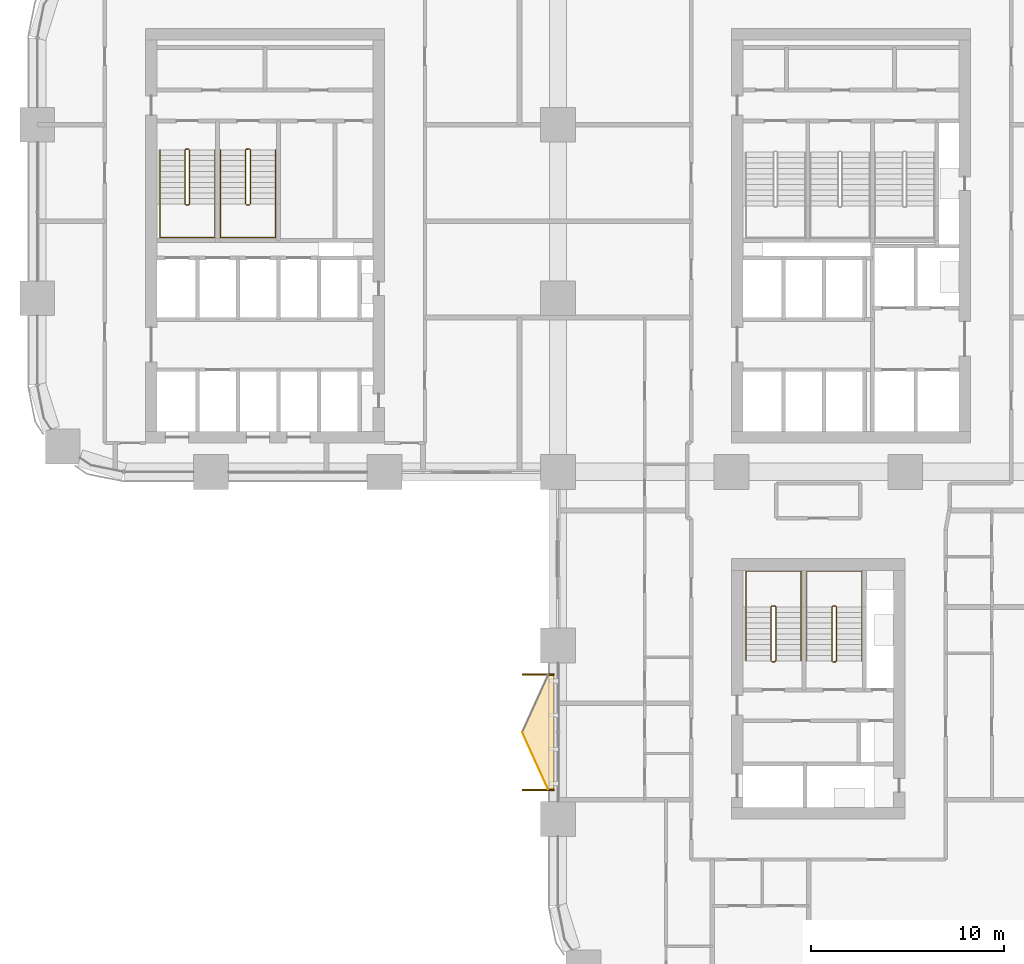
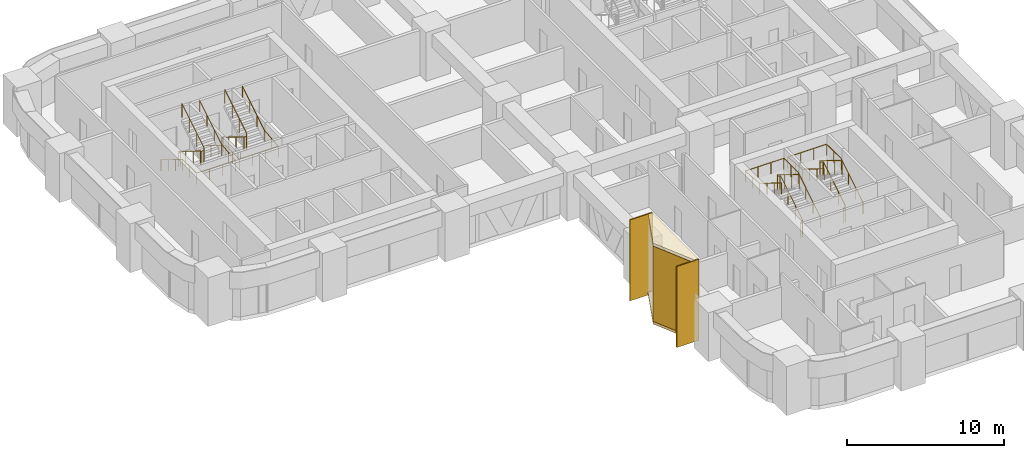
# One storey, part 18 of 19: 8 railings, 5 coverings.
"""IFC4 building model written with IfcOpenShell, lengths in metres."""

import ifcopenshell
import ifcopenshell.guid

model = None  # the IFC model being written
_history = None  # IfcOwnerHistory: only IFC2X3 demands one
_inside = {}  # id of a spatial element -> (the spatial element, [elements in it])
_under = {}  # id of a project, library or spatial element -> (it, [spatial elements below it])
_declared = {}  # id of a project -> (the project, [libraries it declares])
_typed = {}  # id of a type object -> (the type object, [elements of that type])
_made_of = {}  # id of a material, layer set ... -> (it, [elements and type objects made of it])


def new_model(schema):
    """Start an empty IFC model of exactly this schema.

    Asked for "IFC4X3", IfcOpenShell would pick the latest addendum, in which some entities
    have other attributes; the version numbers below select the first issue.
    IFC2X3 requires an IfcOwnerHistory on every rooted entity: one is made here for all.
    """
    global model, _history
    if schema == "IFC4X3":
        model = ifcopenshell.file(schema_version=(4, 3, 0, 0))
    else:
        model = ifcopenshell.file(schema=schema)
    _inside.clear()
    _under.clear()
    _declared.clear()
    _typed.clear()
    _made_of.clear()
    _history = None
    if model.schema == "IFC2X3":
        org = make("IfcOrganization", Name="unknown")
        user = make(
            "IfcPersonAndOrganization",
            ThePerson=make("IfcPerson", FamilyName="unknown"),
            TheOrganization=org,
        )
        app = make(
            "IfcApplication",
            ApplicationDeveloper=org,
            Version="unknown",
            ApplicationFullName="unknown",
            ApplicationIdentifier="unknown",
        )
        _history = make(
            "IfcOwnerHistory",
            OwningUser=user,
            OwningApplication=app,
            ChangeAction="ADDED",
            CreationDate=0,
        )
    return model


def make(cls, **values):
    """One entity of the class cls with the attributes given. An attribute that is None is left unset."""
    return model.create_entity(
        cls, **{name: value for name, value in values.items() if value is not None}
    )


def rooted(cls, **values):
    """An entity with a GlobalId (a new one), such as an element, a storey or a relation."""
    return make(cls, GlobalId=ifcopenshell.guid.new(), OwnerHistory=_history, **values)


def si_unit(unit_type, name, prefix=None):
    """IfcSIUnit, for example si_unit("LENGTHUNIT", "METRE", prefix="MILLI")."""
    return make("IfcSIUnit", UnitType=unit_type, Prefix=prefix, Name=name)


def assignment(units):
    """IfcUnitAssignment: the units of a project."""
    return None if units is None else make("IfcUnitAssignment", Units=units)


def point(xyz):
    """IfcCartesianPoint."""
    return None if xyz is None else make("IfcCartesianPoint", Coordinates=xyz)


def direction(xyz):
    """IfcDirection."""
    return None if xyz is None else make("IfcDirection", DirectionRatios=xyz)


def frame(location, z_axis=None, x_axis=None):
    """IfcAxis2Placement3D, a coordinate frame: its origin and axes. An axis left out is left unset."""
    return make(
        "IfcAxis2Placement3D",
        Location=point(location),
        Axis=direction(z_axis),
        RefDirection=direction(x_axis),
    )


def frame_2d(location, x_axis=None):
    """IfcAxis2Placement2D, a coordinate frame in the plane: its origin and x axis."""
    return make(
        "IfcAxis2Placement2D", Location=point(location), RefDirection=direction(x_axis)
    )


def origin():
    """The frame at (0, 0, 0) with its axes left unset."""
    return frame((0.0, 0.0, 0.0))


def origin_2d():
    """The frame at (0, 0) in the plane with its x axis left unset."""
    return frame_2d((0.0, 0.0))


def place(relative_to, where):
    """IfcLocalPlacement: puts the frame where relative to a parent placement (None: the world)."""
    return make(
        "IfcLocalPlacement", PlacementRelTo=relative_to, RelativePlacement=where
    )


def context(
    kind, dimensions, precision=None, world=None, true_north=None, identifier=None
):
    """IfcGeometricRepresentationContext, for example the 3D "Model" context."""
    return make(
        "IfcGeometricRepresentationContext",
        ContextIdentifier=identifier,
        ContextType=kind,
        CoordinateSpaceDimension=dimensions,
        Precision=precision,
        WorldCoordinateSystem=world,
        TrueNorth=true_north,
    )


def subcontext(parent, identifier, kind, view, scale=None):
    """IfcGeometricRepresentationSubContext, for example "Body" below "Model"."""
    return make(
        "IfcGeometricRepresentationSubContext",
        ContextIdentifier=identifier,
        ContextType=kind,
        ParentContext=parent,
        TargetScale=scale,
        TargetView=view,
    )


def project(units=None, contexts=None):
    """IfcProject with its units and contexts."""
    return rooted(
        "IfcProject",
        Name="project",
        RepresentationContexts=contexts,
        UnitsInContext=assignment(units),
    )


def spatial(cls, under=None, at=None, **own):
    """A site, building, storey or space (cls), placed at a placement, below another one or the project."""
    s = rooted(cls, ObjectPlacement=at, **own)
    if under is not None:
        _under.setdefault(under.id(), (under, []))[1].append(s)
    return s


def polyline(points):
    """IfcPolyline through the points."""
    return make("IfcPolyline", Points=[point(p) for p in points])


def profile(cls, at=None, kind="AREA", **sizes):
    """A parametric profile (cls). Its sizes go by their IFC names, for example OverallWidth=200.0."""
    return make(cls, ProfileType=kind, Position=at, **sizes)


def rectangle(**sizes):
    """IfcRectangleProfileDef."""
    return profile("IfcRectangleProfileDef", **sizes)


def circle(**sizes):
    """IfcCircleProfileDef."""
    return profile("IfcCircleProfileDef", **sizes)


def outline(outer, holes=None, kind="AREA"):
    """IfcArbitraryClosedProfileDef: a profile drawn as a closed curve; with holes, ...WithVoids."""
    if holes is None:
        return make("IfcArbitraryClosedProfileDef", ProfileType=kind, OuterCurve=outer)
    return make(
        "IfcArbitraryProfileDefWithVoids",
        ProfileType=kind,
        OuterCurve=outer,
        InnerCurves=holes,
    )


def extrude(swept, where, along, depth):
    """IfcExtrudedAreaSolid: the profile swept, set in the frame where, extruded along a direction by depth."""
    return make(
        "IfcExtrudedAreaSolid",
        SweptArea=swept,
        Position=where,
        ExtrudedDirection=direction(along),
        Depth=depth,
    )


def shape(context_of_items, identifier, shape_type, items):
    """IfcShapeRepresentation: the items that make up one representation, for example the "Body"."""
    return make(
        "IfcShapeRepresentation",
        ContextOfItems=context_of_items,
        RepresentationIdentifier=identifier,
        RepresentationType=shape_type,
        Items=items,
    )


def material(Name=None, Category=None):
    """IfcMaterial."""
    return make("IfcMaterial", Name=Name, Category=Category)


def layer(
    of_material, thickness, ventilated=None, Name=None, Category=None, Priority=None
):
    """IfcMaterialLayer: one layer of a wall or slab, of a material (None: an air gap)."""
    return make(
        "IfcMaterialLayer",
        Material=of_material,
        LayerThickness=thickness,
        IsVentilated=ventilated,
        Name=Name,
        Category=Category,
        Priority=Priority,
    )


def layer_set(layers, Name=None):
    """IfcMaterialLayerSet."""
    return make("IfcMaterialLayerSet", MaterialLayers=layers, LayerSetName=Name)


def made_of(thing, what):
    """Note that an element or type object is made of a material, layer set ...; save() writes the relation."""
    if what is not None:
        _made_of.setdefault(what.id(), (what, []))[1].append(thing)
    return thing


def type_object(cls, material=None, **own):
    """A type object (cls), such as IfcWallType, which elements share."""
    return made_of(rooted(cls, **own), material)


def element(
    cls,
    number,
    at=None,
    inside=None,
    cuts=None,
    type_object=None,
    material=None,
    context=None,
    identifier="Body",
    shape_type=None,
    held_by="IfcProductDefinitionShape",
    body=None,
    shapes=None,
    **own,
):
    """One element of the class cls, such as IfcWall. Its Tag is "e" and its number.

    at: its placement. inside: the storey or other place that contains it. cuts: it is an
    opening in that element (IfcRelVoidsElement). A single representation is given by context,
    identifier, shape_type and body (its items); several are given by shapes. held_by: the class
    of the entity that holds the representations. save() writes the other relations.
    """
    e = rooted(cls, Tag="e%d" % number, ObjectPlacement=at, **own)
    if body is not None:
        shapes = [shape(context, identifier, shape_type, body)]
    if shapes is not None:
        e.Representation = make(held_by, Representations=shapes)
    if inside is not None:
        _inside.setdefault(inside.id(), (inside, []))[1].append(e)
    if cuts is not None:
        rooted(
            "IfcRelVoidsElement", RelatingBuildingElement=cuts, RelatedOpeningElement=e
        )
    if type_object is not None:
        _typed.setdefault(type_object.id(), (type_object, []))[1].append(e)
    return made_of(e, material)


def aggregate(whole, parts):
    """IfcRelAggregates: a whole, such as a stair, and the parts it consists of."""
    return rooted("IfcRelAggregates", RelatingObject=whole, RelatedObjects=parts)


def save(model, path):
    """Write the relations noted so far, then the file.

    IfcRelAggregates (storeys below a building ...), IfcRelContainedInSpatialStructure (elements
    in a storey), IfcRelDefinesByType, IfcRelAssociatesMaterial and IfcRelDeclares: one each for
    every whole, place, type object, material and project.
    """
    for whole, parts in _under.values():
        aggregate(whole, parts)
    for where, things in _inside.values():
        rooted(
            "IfcRelContainedInSpatialStructure",
            RelatedElements=things,
            RelatingStructure=where,
        )
    for kind, things in _typed.values():
        rooted("IfcRelDefinesByType", RelatedObjects=things, RelatingType=kind)
    for what, things in _made_of.values():
        rooted("IfcRelAssociatesMaterial", RelatedObjects=things, RelatingMaterial=what)
    for by, libraries in _declared.values():
        rooted("IfcRelDeclares", RelatingContext=by, RelatedDefinitions=libraries)
    model.write(path)


model = new_model("IFC4")

# Units and contexts
model_context = context("Model", 3, precision=1e-05, world=origin(), true_north=direction((0.0, 1.0)))
body_context = subcontext(model_context, "Body", "Model", "MODEL_VIEW")
ifc_project = project(units=[si_unit("LENGTHUNIT", "METRE"), si_unit("AREAUNIT", "SQUARE_METRE"), si_unit("VOLUMEUNIT", "CUBIC_METRE"), si_unit("PLANEANGLEUNIT", "RADIAN"), si_unit("MASSUNIT", "GRAM", prefix="KILO")], contexts=[model_context])

# Site, building, storey
site_placement = place(None, origin())
site = spatial("IfcSite", under=ifc_project, at=site_placement, CompositionType="ELEMENT")
building_placement = place(site_placement, origin())
building = spatial("IfcBuilding", under=site, at=building_placement, Name="Tessera Arch", CompositionType="ELEMENT")
storey_placement = place(building_placement, frame((0.0, 0.0, 85.39990234375)))
storey = spatial("IfcBuildingStorey", under=building, at=storey_placement, Name="L19", CompositionType="ELEMENT", Elevation=85.39990234375)

# Railings
ifc_material_1 = material(Name="Painted steel balustrade", Category="steel")
railing_type_1 = type_object("IfcRailingType", Name="Stair guard 1100", PredefinedType="GUARDRAIL", material=ifc_material_1)
railing_1_placement = place(storey_placement, frame((7.699951171875, 43.75, 0.0)))
element("IfcRailing", 1, at=railing_1_placement, inside=storey, type_object=railing_type_1, Name="L19 S2a stair guard 1", PredefinedType="GUARDRAIL", context=body_context, shape_type="SweptSolid", body=[
    extrude(circle(Radius=0.02392578125, at=origin_2d()), frame((-0.00390625, 0.0, 1.076171875), z_axis=(1.0, 0.0, 0.0), x_axis=(0.0, 1.0, 0.0)), (0.0, 0.0, 1.0), 0.158203125),
    extrude(circle(Radius=0.02392578125, at=origin_2d()), frame((0.153076171875, 0.000732421875, 1.073486328125), z_axis=(-0.743708266585, -0.185927066646, 0.642128600905), x_axis=(0.242535625036, -0.970142500145, 0.0)), (0.0, 0.0, 1.0), 0.277099609375),
    extrude(circle(Radius=0.02392578125, at=origin_2d()), frame((-0.050048828125, -0.046630859375, 1.246826171875), z_axis=(0.0, -0.851089632645, 0.525020415988), x_axis=(1.0, 0.0, 0.0)), (0.0, 0.0, 1.0), 3.2978515625),
    extrude(circle(Radius=0.02392578125, at=origin_2d()), frame((-0.052978515625, -2.84716796875, 2.97607421875), z_axis=(0.708833529934, -0.705375805398, 0.0), x_axis=(0.705375805398, 0.708833529934, 0.0)), (0.0, 0.0, 1.0), 0.07861328125),
    extrude(circle(Radius=0.02392578125, at=origin_2d()), frame((-0.00390625, -2.89990234375, 2.97607421875), z_axis=(1.0, 0.0, 0.0), x_axis=(0.0, 1.0, 0.0)), (0.0, 0.0, 1.0), 0.158203125),
    extrude(circle(Radius=0.02392578125, at=origin_2d()), frame((0.149169921875, -2.90087890625, 2.972412109375), z_axis=(0.26715648603, 0.26715648603, 0.925880566782), x_axis=(-0.707106781187, 0.707106781187, 0.0)), (0.0, 0.0, 1.0), 0.1943359375),
    extrude(circle(Radius=0.02392578125, at=origin_2d()), frame((0.199951171875, -2.853515625, 3.146728515625), z_axis=(0.0, 0.851089632645, 0.525020415988), x_axis=(-1.0, 0.0, 0.0)), (0.0, 0.0, 1.0), 3.2978515625),
    extrude(circle(Radius=0.02099609375, at=origin_2d()), origin(), (0.0, 0.0, 1.0), 1.06396484375),
    extrude(circle(Radius=0.02099609375, at=origin_2d()), frame((0.150146484375, 0.0, 0.0)), (0.0, 0.0, 1.0), 1.06396484375),
    extrude(circle(Radius=0.02099609375, at=origin_2d()), frame((-0.050048828125, -0.050048828125, 0.1728515625)), (0.0, 0.0, 1.0), 1.06396484375),
    extrude(circle(Radius=0.02099609375, at=origin_2d()), frame((-0.050048828125, -0.9833984375, 0.74853515625)), (0.0, 0.0, 1.0), 1.06396484375),
    extrude(circle(Radius=0.02099609375, at=origin_2d()), frame((-0.050048828125, -1.916748046875, 1.324462890625)), (0.0, 0.0, 1.0), 1.06396484375),
    extrude(circle(Radius=0.02099609375, at=origin_2d()), frame((-0.050048828125, -2.85009765625, 1.900146484375)), (0.0, 0.0, 1.0), 1.06396484375),
    extrude(circle(Radius=0.02099609375, at=origin_2d()), frame((0.0, -2.89990234375, 1.900146484375)), (0.0, 0.0, 1.0), 1.06396484375),
    extrude(circle(Radius=0.02099609375, at=origin_2d()), frame((0.150146484375, -2.89990234375, 1.900146484375)), (0.0, 0.0, 1.0), 1.06396484375),
    extrude(circle(Radius=0.02099609375, at=origin_2d()), frame((0.199951171875, -2.85009765625, 2.07275390625)), (0.0, 0.0, 1.0), 1.06396484375),
    extrude(circle(Radius=0.02099609375, at=origin_2d()), frame((0.199951171875, -1.916748046875, 2.6484375)), (0.0, 0.0, 1.0), 1.06396484375),
    extrude(circle(Radius=0.02099609375, at=origin_2d()), frame((0.199951171875, -0.9833984375, 3.224365234375)), (0.0, 0.0, 1.0), 1.06396484375),
    extrude(circle(Radius=0.02099609375, at=origin_2d()), frame((0.199951171875, -0.050048828125, 3.800048828125)), (0.0, 0.0, 1.0), 1.06396484375),
])
railing_2_placement = place(storey_placement, frame((10.85009765625, 43.75, 0.0)))
element("IfcRailing", 2, at=railing_2_placement, inside=storey, type_object=railing_type_1, Name="L19 S2b stair guard 1", PredefinedType="GUARDRAIL", context=body_context, shape_type="SweptSolid", body=[
    extrude(circle(Radius=0.02392578125, at=origin_2d()), frame((-0.00390625, 0.0, 1.076171875), z_axis=(1.0, 0.0, 0.0), x_axis=(0.0, 1.0, 0.0)), (0.0, 0.0, 1.0), 0.157958984375),
    extrude(circle(Radius=0.02392578125, at=origin_2d()), frame((0.15283203125, 0.000732421875, 1.073486328125), z_axis=(-0.743302536996, -0.186052527575, 0.642561900114), x_axis=(0.242814311512, -0.970072785993, 0.0)), (0.0, 0.0, 1.0), 0.277099609375),
    extrude(circle(Radius=0.02392578125, at=origin_2d()), frame((-0.050048828125, -0.046630859375, 1.246826171875), z_axis=(0.0, -0.851089632645, 0.525020415988), x_axis=(1.0, 0.0, 0.0)), (0.0, 0.0, 1.0), 3.2978515625),
    extrude(circle(Radius=0.02392578125, at=origin_2d()), frame((-0.052978515625, -2.84716796875, 2.97607421875), z_axis=(0.708833529934, -0.705375805398, 0.0), x_axis=(0.705375805398, 0.708833529934, 0.0)), (0.0, 0.0, 1.0), 0.07861328125),
    extrude(circle(Radius=0.02392578125, at=origin_2d()), frame((-0.00390625, -2.89990234375, 2.97607421875), z_axis=(1.0, 0.0, 0.0), x_axis=(0.0, 1.0, 0.0)), (0.0, 0.0, 1.0), 0.157958984375),
    extrude(circle(Radius=0.02392578125, at=origin_2d()), frame((0.14892578125, -2.90087890625, 2.972412109375), z_axis=(0.268371968888, 0.267062837333, 0.925556009775), x_axis=(-0.705375805398, 0.708833529934, 0.0)), (0.0, 0.0, 1.0), 0.194580078125),
    extrude(circle(Radius=0.02392578125, at=origin_2d()), frame((0.199951171875, -2.853515625, 3.146728515625), z_axis=(0.0, 0.851089632645, 0.525020415988), x_axis=(-1.0, 0.0, 0.0)), (0.0, 0.0, 1.0), 3.2978515625),
    extrude(circle(Radius=0.02099609375, at=origin_2d()), origin(), (0.0, 0.0, 1.0), 1.06396484375),
    extrude(circle(Radius=0.02099609375, at=origin_2d()), frame((0.14990234375, 0.0, 0.0)), (0.0, 0.0, 1.0), 1.06396484375),
    extrude(circle(Radius=0.02099609375, at=origin_2d()), frame((-0.050048828125, -0.050048828125, 0.1728515625)), (0.0, 0.0, 1.0), 1.06396484375),
    extrude(circle(Radius=0.02099609375, at=origin_2d()), frame((-0.050048828125, -0.9833984375, 0.74853515625)), (0.0, 0.0, 1.0), 1.06396484375),
    extrude(circle(Radius=0.02099609375, at=origin_2d()), frame((-0.050048828125, -1.916748046875, 1.324462890625)), (0.0, 0.0, 1.0), 1.06396484375),
    extrude(circle(Radius=0.02099609375, at=origin_2d()), frame((-0.050048828125, -2.85009765625, 1.900146484375)), (0.0, 0.0, 1.0), 1.06396484375),
    extrude(circle(Radius=0.02099609375, at=origin_2d()), frame((0.0, -2.89990234375, 1.900146484375)), (0.0, 0.0, 1.0), 1.06396484375),
    extrude(circle(Radius=0.02099609375, at=origin_2d()), frame((0.14990234375, -2.89990234375, 1.900146484375)), (0.0, 0.0, 1.0), 1.06396484375),
    extrude(circle(Radius=0.02099609375, at=origin_2d()), frame((0.199951171875, -2.85009765625, 2.07275390625)), (0.0, 0.0, 1.0), 1.06396484375),
    extrude(circle(Radius=0.02099609375, at=origin_2d()), frame((0.199951171875, -1.916748046875, 2.6484375)), (0.0, 0.0, 1.0), 1.06396484375),
    extrude(circle(Radius=0.02099609375, at=origin_2d()), frame((0.199951171875, -0.9833984375, 3.224365234375)), (0.0, 0.0, 1.0), 1.06396484375),
    extrude(circle(Radius=0.02099609375, at=origin_2d()), frame((0.199951171875, -0.050048828125, 3.800048828125)), (0.0, 0.0, 1.0), 1.06396484375),
])
railing_3_placement = place(storey_placement, frame((38.25, 17.14990234375, 0.0)))
element("IfcRailing", 3, at=railing_3_placement, inside=storey, type_object=railing_type_1, Name="L19 S3a stair guard 1", PredefinedType="GUARDRAIL", context=body_context, shape_type="SweptSolid", body=[
    extrude(circle(Radius=0.02392578125, at=origin_2d()), frame((0.00390625, 0.0, 1.076171875), z_axis=(-1.0, 0.0, 0.0), x_axis=(0.0, -1.0, 0.0)), (0.0, 0.0, 1.0), 0.157958984375),
    extrude(circle(Radius=0.02392578125, at=origin_2d()), frame((-0.15283203125, -0.000732421875, 1.073486328125), z_axis=(0.743302536996, 0.186052527575, 0.642561900114), x_axis=(-0.242814311512, 0.970072785993, 0.0)), (0.0, 0.0, 1.0), 0.277099609375),
    extrude(circle(Radius=0.02392578125, at=origin_2d()), frame((0.050048828125, 0.046630859375, 1.246826171875), z_axis=(0.0, 0.851089632645, 0.525020415988), x_axis=(-1.0, 0.0, 0.0)), (0.0, 0.0, 1.0), 3.2978515625),
    extrude(circle(Radius=0.02392578125, at=origin_2d()), frame((0.052978515625, 2.84716796875, 2.97607421875), z_axis=(-0.707106781187, 0.707106781187, 0.0), x_axis=(-0.707106781187, -0.707106781187, 0.0)), (0.0, 0.0, 1.0), 0.078857421875),
    extrude(circle(Radius=0.02392578125, at=origin_2d()), frame((0.00390625, 2.900146484375, 2.97607421875), z_axis=(-1.0, 0.0, 0.0), x_axis=(0.0, -1.0, 0.0)), (0.0, 0.0, 1.0), 0.157958984375),
    extrude(circle(Radius=0.02392578125, at=origin_2d()), frame((-0.14892578125, 2.901123046875, 2.972412109375), z_axis=(-0.268277960024, -0.268277960024, 0.925231793839), x_axis=(0.707106781187, -0.707106781187, 0.0)), (0.0, 0.0, 1.0), 0.194580078125),
    extrude(circle(Radius=0.02392578125, at=origin_2d()), frame((-0.199951171875, 2.853515625, 3.146728515625), z_axis=(0.0, -0.851089632645, 0.525020415988), x_axis=(1.0, 0.0, 0.0)), (0.0, 0.0, 1.0), 3.2978515625),
    extrude(circle(Radius=0.02099609375, at=origin_2d()), origin(), (0.0, 0.0, 1.0), 1.06396484375),
    extrude(circle(Radius=0.02099609375, at=origin_2d()), frame((-0.14990234375, 0.0, 0.0)), (0.0, 0.0, 1.0), 1.06396484375),
    extrude(circle(Radius=0.02099609375, at=origin_2d()), frame((0.050048828125, 0.050048828125, 0.1728515625)), (0.0, 0.0, 1.0), 1.06396484375),
    extrude(circle(Radius=0.02099609375, at=origin_2d()), frame((0.050048828125, 0.9833984375, 0.74853515625)), (0.0, 0.0, 1.0), 1.06396484375),
    extrude(circle(Radius=0.02099609375, at=origin_2d()), frame((0.050048828125, 1.916748046875, 1.324462890625)), (0.0, 0.0, 1.0), 1.06396484375),
    extrude(circle(Radius=0.02099609375, at=origin_2d()), frame((0.050048828125, 2.85009765625, 1.900146484375)), (0.0, 0.0, 1.0), 1.06396484375),
    extrude(circle(Radius=0.02099609375, at=origin_2d()), frame((0.0, 2.900146484375, 1.900146484375)), (0.0, 0.0, 1.0), 1.06396484375),
    extrude(circle(Radius=0.02099609375, at=origin_2d()), frame((-0.14990234375, 2.900146484375, 1.900146484375)), (0.0, 0.0, 1.0), 1.06396484375),
    extrude(circle(Radius=0.02099609375, at=origin_2d()), frame((-0.199951171875, 2.85009765625, 2.07275390625)), (0.0, 0.0, 1.0), 1.06396484375),
    extrude(circle(Radius=0.02099609375, at=origin_2d()), frame((-0.199951171875, 1.916748046875, 2.6484375)), (0.0, 0.0, 1.0), 1.06396484375),
    extrude(circle(Radius=0.02099609375, at=origin_2d()), frame((-0.199951171875, 0.9833984375, 3.224365234375)), (0.0, 0.0, 1.0), 1.06396484375),
    extrude(circle(Radius=0.02099609375, at=origin_2d()), frame((-0.199951171875, 0.050048828125, 3.800048828125)), (0.0, 0.0, 1.0), 1.06396484375),
])
railing_4_placement = place(storey_placement, frame((41.39990234375, 17.14990234375, 0.0)))
element("IfcRailing", 4, at=railing_4_placement, inside=storey, type_object=railing_type_1, Name="L19 S3b stair guard 1", PredefinedType="GUARDRAIL", context=body_context, shape_type="SweptSolid", body=[
    extrude(circle(Radius=0.02392578125, at=origin_2d()), frame((0.00390625, 0.0, 1.076171875), z_axis=(-1.0, 0.0, 0.0), x_axis=(0.0, -1.0, 0.0)), (0.0, 0.0, 1.0), 0.157958984375),
    extrude(circle(Radius=0.02392578125, at=origin_2d()), frame((-0.15283203125, -0.000732421875, 1.073486328125), z_axis=(0.743302536996, 0.186052527575, 0.642561900114), x_axis=(-0.242814311512, 0.970072785993, 0.0)), (0.0, 0.0, 1.0), 0.277099609375),
    extrude(circle(Radius=0.02392578125, at=origin_2d()), frame((0.050048828125, 0.046630859375, 1.246826171875), z_axis=(0.0, 0.851089632645, 0.525020415988), x_axis=(-1.0, 0.0, 0.0)), (0.0, 0.0, 1.0), 3.2978515625),
    extrude(circle(Radius=0.02392578125, at=origin_2d()), frame((0.052978515625, 2.84716796875, 2.97607421875), z_axis=(-0.707106781187, 0.707106781187, 0.0), x_axis=(-0.707106781187, -0.707106781187, 0.0)), (0.0, 0.0, 1.0), 0.078857421875),
    extrude(circle(Radius=0.02392578125, at=origin_2d()), frame((0.00390625, 2.900146484375, 2.97607421875), z_axis=(-1.0, 0.0, 0.0), x_axis=(0.0, -1.0, 0.0)), (0.0, 0.0, 1.0), 0.157958984375),
    extrude(circle(Radius=0.02392578125, at=origin_2d()), frame((-0.14892578125, 2.901123046875, 2.972412109375), z_axis=(-0.268277960024, -0.268277960024, 0.925231793839), x_axis=(0.707106781187, -0.707106781187, 0.0)), (0.0, 0.0, 1.0), 0.194580078125),
    extrude(circle(Radius=0.02392578125, at=origin_2d()), frame((-0.199951171875, 2.853515625, 3.146728515625), z_axis=(0.0, -0.851089632645, 0.525020415988), x_axis=(1.0, 0.0, 0.0)), (0.0, 0.0, 1.0), 3.2978515625),
    extrude(circle(Radius=0.02099609375, at=origin_2d()), origin(), (0.0, 0.0, 1.0), 1.06396484375),
    extrude(circle(Radius=0.02099609375, at=origin_2d()), frame((-0.14990234375, 0.0, 0.0)), (0.0, 0.0, 1.0), 1.06396484375),
    extrude(circle(Radius=0.02099609375, at=origin_2d()), frame((0.050048828125, 0.050048828125, 0.1728515625)), (0.0, 0.0, 1.0), 1.06396484375),
    extrude(circle(Radius=0.02099609375, at=origin_2d()), frame((0.050048828125, 0.9833984375, 0.74853515625)), (0.0, 0.0, 1.0), 1.06396484375),
    extrude(circle(Radius=0.02099609375, at=origin_2d()), frame((0.050048828125, 1.916748046875, 1.324462890625)), (0.0, 0.0, 1.0), 1.06396484375),
    extrude(circle(Radius=0.02099609375, at=origin_2d()), frame((0.050048828125, 2.85009765625, 1.900146484375)), (0.0, 0.0, 1.0), 1.06396484375),
    extrude(circle(Radius=0.02099609375, at=origin_2d()), frame((0.0, 2.900146484375, 1.900146484375)), (0.0, 0.0, 1.0), 1.06396484375),
    extrude(circle(Radius=0.02099609375, at=origin_2d()), frame((-0.14990234375, 2.900146484375, 1.900146484375)), (0.0, 0.0, 1.0), 1.06396484375),
    extrude(circle(Radius=0.02099609375, at=origin_2d()), frame((-0.199951171875, 2.85009765625, 2.07275390625)), (0.0, 0.0, 1.0), 1.06396484375),
    extrude(circle(Radius=0.02099609375, at=origin_2d()), frame((-0.199951171875, 1.916748046875, 2.6484375)), (0.0, 0.0, 1.0), 1.06396484375),
    extrude(circle(Radius=0.02099609375, at=origin_2d()), frame((-0.199951171875, 0.9833984375, 3.224365234375)), (0.0, 0.0, 1.0), 1.06396484375),
    extrude(circle(Radius=0.02099609375, at=origin_2d()), frame((-0.199951171875, 0.050048828125, 3.800048828125)), (0.0, 0.0, 1.0), 1.06396484375),
])
ifc_material_2 = material(Name="Painted steel handrail", Category="steel")
railing_type_2 = type_object("IfcRailingType", Name="Stair handrail 900", PredefinedType="HANDRAIL", material=ifc_material_2)
railing_5_placement = place(storey_placement, frame((6.35009765625, 43.699951171875, 0.1728515625)))
element("IfcRailing", 5, at=railing_5_placement, inside=storey, type_object=railing_type_2, Name="L19 S2a stair handrail", PredefinedType="HANDRAIL", context=body_context, shape_type="SweptSolid", body=[
    extrude(circle(Radius=0.02392578125, at=origin_2d()), frame((0.0, 0.00341796875, 0.873779296875), z_axis=(0.0, -0.851089632645, 0.525020415988), x_axis=(1.0, 0.0, 0.0)), (0.0, 0.0, 1.0), 3.2978515625),
    extrude(circle(Radius=0.02392578125, at=origin_2d()), frame((0.0, -2.796142578125, 2.60302734375), z_axis=(0.0, -1.0, 0.0), x_axis=(1.0, 0.0, 0.0)), (0.0, 0.0, 1.0), 1.758056640625),
    extrude(circle(Radius=0.02392578125, at=origin_2d()), frame((-0.00390625, -4.550048828125, 2.60302734375), z_axis=(1.0, 0.0, 0.0), x_axis=(0.0, 1.0, 0.0)), (0.0, 0.0, 1.0), 2.85791015625),
    extrude(circle(Radius=0.02392578125, at=origin_2d()), frame((2.849853515625, -4.553955078125, 2.602783203125), z_axis=(0.0, 0.995170989745, 0.098156513637), x_axis=(-1.0, 0.0, 0.0)), (0.0, 0.0, 1.0), 1.7666015625),
    extrude(circle(Radius=0.02392578125, at=origin_2d()), frame((2.849853515625, -2.803466796875, 2.773681640625), z_axis=(0.0, 0.851089632645, 0.525020415988), x_axis=(-1.0, 0.0, 0.0)), (0.0, 0.0, 1.0), 3.2978515625),
    extrude(circle(Radius=0.02099609375, at=origin_2d()), origin(), (0.0, 0.0, 1.0), 0.86376953125),
    extrude(circle(Radius=0.02099609375, at=origin_2d()), frame((0.0, -0.933349609375, 0.57568359375)), (0.0, 0.0, 1.0), 0.86376953125),
    extrude(circle(Radius=0.02099609375, at=origin_2d()), frame((0.0, -1.86669921875, 1.151611328125)), (0.0, 0.0, 1.0), 0.86376953125),
    extrude(circle(Radius=0.02099609375, at=origin_2d()), frame((0.0, -2.800048828125, 1.727294921875)), (0.0, 0.0, 1.0), 0.86376953125),
    extrude(circle(Radius=0.02099609375, at=origin_2d()), frame((0.0, -3.675048828125, 1.727294921875)), (0.0, 0.0, 1.0), 0.86376953125),
    extrude(circle(Radius=0.02099609375, at=origin_2d()), frame((0.0, -4.550048828125, 1.727294921875)), (0.0, 0.0, 1.0), 0.86376953125),
    extrude(circle(Radius=0.02099609375, at=origin_2d()), frame((0.949951171875, -4.550048828125, 1.727294921875)), (0.0, 0.0, 1.0), 0.86376953125),
    extrude(circle(Radius=0.02099609375, at=origin_2d()), frame((1.89990234375, -4.550048828125, 1.727294921875)), (0.0, 0.0, 1.0), 0.86376953125),
    extrude(circle(Radius=0.02099609375, at=origin_2d()), frame((2.849853515625, -4.550048828125, 1.727294921875)), (0.0, 0.0, 1.0), 0.86376953125),
    extrude(circle(Radius=0.02099609375, at=origin_2d()), frame((2.849853515625, -3.675048828125, 1.8134765625)), (0.0, 0.0, 1.0), 0.86376953125),
    extrude(circle(Radius=0.02099609375, at=origin_2d()), frame((2.849853515625, -2.800048828125, 1.89990234375)), (0.0, 0.0, 1.0), 0.86376953125),
    extrude(circle(Radius=0.02099609375, at=origin_2d()), frame((2.849853515625, -1.86669921875, 2.4755859375)), (0.0, 0.0, 1.0), 0.86376953125),
    extrude(circle(Radius=0.02099609375, at=origin_2d()), frame((2.849853515625, -0.933349609375, 3.051513671875)), (0.0, 0.0, 1.0), 0.86376953125),
    extrude(circle(Radius=0.02099609375, at=origin_2d()), frame((2.849853515625, 0.0, 3.627197265625)), (0.0, 0.0, 1.0), 0.86376953125),
])
railing_6_placement = place(storey_placement, frame((9.5, 43.699951171875, 0.1728515625)))
element("IfcRailing", 6, at=railing_6_placement, inside=storey, type_object=railing_type_2, Name="L19 S2b stair handrail", PredefinedType="HANDRAIL", context=body_context, shape_type="SweptSolid", body=[
    extrude(circle(Radius=0.02392578125, at=origin_2d()), frame((0.0, 0.00341796875, 0.873779296875), z_axis=(0.0, -0.851089632645, 0.525020415988), x_axis=(1.0, 0.0, 0.0)), (0.0, 0.0, 1.0), 3.2978515625),
    extrude(circle(Radius=0.02392578125, at=origin_2d()), frame((0.0, -2.796142578125, 2.60302734375), z_axis=(0.0, -1.0, 0.0), x_axis=(1.0, 0.0, 0.0)), (0.0, 0.0, 1.0), 1.758056640625),
    extrude(circle(Radius=0.02392578125, at=origin_2d()), frame((-0.00390625, -4.550048828125, 2.60302734375), z_axis=(1.0, 0.0, 0.0), x_axis=(0.0, 1.0, 0.0)), (0.0, 0.0, 1.0), 2.858154296875),
    extrude(circle(Radius=0.02392578125, at=origin_2d()), frame((2.85009765625, -4.553955078125, 2.602783203125), z_axis=(0.0, 0.995170989745, 0.098156513637), x_axis=(-1.0, 0.0, 0.0)), (0.0, 0.0, 1.0), 1.7666015625),
    extrude(circle(Radius=0.02392578125, at=origin_2d()), frame((2.85009765625, -2.803466796875, 2.773681640625), z_axis=(0.0, 0.851089632645, 0.525020415988), x_axis=(-1.0, 0.0, 0.0)), (0.0, 0.0, 1.0), 3.2978515625),
    extrude(circle(Radius=0.02099609375, at=origin_2d()), origin(), (0.0, 0.0, 1.0), 0.86376953125),
    extrude(circle(Radius=0.02099609375, at=origin_2d()), frame((0.0, -0.933349609375, 0.57568359375)), (0.0, 0.0, 1.0), 0.86376953125),
    extrude(circle(Radius=0.02099609375, at=origin_2d()), frame((0.0, -1.86669921875, 1.151611328125)), (0.0, 0.0, 1.0), 0.86376953125),
    extrude(circle(Radius=0.02099609375, at=origin_2d()), frame((0.0, -2.800048828125, 1.727294921875)), (0.0, 0.0, 1.0), 0.86376953125),
    extrude(circle(Radius=0.02099609375, at=origin_2d()), frame((0.0, -3.675048828125, 1.727294921875)), (0.0, 0.0, 1.0), 0.86376953125),
    extrude(circle(Radius=0.02099609375, at=origin_2d()), frame((0.0, -4.550048828125, 1.727294921875)), (0.0, 0.0, 1.0), 0.86376953125),
    extrude(circle(Radius=0.02099609375, at=origin_2d()), frame((0.949951171875, -4.550048828125, 1.727294921875)), (0.0, 0.0, 1.0), 0.86376953125),
    extrude(circle(Radius=0.02099609375, at=origin_2d()), frame((1.900146484375, -4.550048828125, 1.727294921875)), (0.0, 0.0, 1.0), 0.86376953125),
    extrude(circle(Radius=0.02099609375, at=origin_2d()), frame((2.85009765625, -4.550048828125, 1.727294921875)), (0.0, 0.0, 1.0), 0.86376953125),
    extrude(circle(Radius=0.02099609375, at=origin_2d()), frame((2.85009765625, -3.675048828125, 1.8134765625)), (0.0, 0.0, 1.0), 0.86376953125),
    extrude(circle(Radius=0.02099609375, at=origin_2d()), frame((2.85009765625, -2.800048828125, 1.89990234375)), (0.0, 0.0, 1.0), 0.86376953125),
    extrude(circle(Radius=0.02099609375, at=origin_2d()), frame((2.85009765625, -1.86669921875, 2.4755859375)), (0.0, 0.0, 1.0), 0.86376953125),
    extrude(circle(Radius=0.02099609375, at=origin_2d()), frame((2.85009765625, -0.933349609375, 3.051513671875)), (0.0, 0.0, 1.0), 0.86376953125),
    extrude(circle(Radius=0.02099609375, at=origin_2d()), frame((2.85009765625, 0.0, 3.627197265625)), (0.0, 0.0, 1.0), 0.86376953125),
])
railing_7_placement = place(storey_placement, frame((39.60009765625, 17.199951171875, 0.1728515625)))
element("IfcRailing", 7, at=railing_7_placement, inside=storey, type_object=railing_type_2, Name="L19 S3a stair handrail", PredefinedType="HANDRAIL", context=body_context, shape_type="SweptSolid", body=[
    extrude(circle(Radius=0.02392578125, at=origin_2d()), frame((0.0, -0.00341796875, 0.873779296875), z_axis=(0.0, 0.851089632645, 0.525020415988), x_axis=(-1.0, 0.0, 0.0)), (0.0, 0.0, 1.0), 3.2978515625),
    extrude(circle(Radius=0.02392578125, at=origin_2d()), frame((0.0, 2.796142578125, 2.60302734375), z_axis=(0.0, 1.0, 0.0), x_axis=(-1.0, 0.0, 0.0)), (0.0, 0.0, 1.0), 1.858154296875),
    extrude(circle(Radius=0.02392578125, at=origin_2d()), frame((0.00390625, 4.650146484375, 2.60302734375), z_axis=(-1.0, 0.0, 0.0), x_axis=(0.0, -1.0, 0.0)), (0.0, 0.0, 1.0), 2.858154296875),
    extrude(circle(Radius=0.02392578125, at=origin_2d()), frame((-2.85009765625, 4.654052734375, 2.602783203125), z_axis=(0.0, -0.995676099079, 0.092892979948), x_axis=(1.0, 0.0, 0.0)), (0.0, 0.0, 1.0), 1.8662109375),
    extrude(circle(Radius=0.02392578125, at=origin_2d()), frame((-2.85009765625, 2.803466796875, 2.773681640625), z_axis=(0.0, -0.851089632645, 0.525020415988), x_axis=(1.0, 0.0, 0.0)), (0.0, 0.0, 1.0), 3.2978515625),
    extrude(circle(Radius=0.02099609375, at=origin_2d()), origin(), (0.0, 0.0, 1.0), 0.86376953125),
    extrude(circle(Radius=0.02099609375, at=origin_2d()), frame((0.0, 0.933349609375, 0.57568359375)), (0.0, 0.0, 1.0), 0.86376953125),
    extrude(circle(Radius=0.02099609375, at=origin_2d()), frame((0.0, 1.86669921875, 1.151611328125)), (0.0, 0.0, 1.0), 0.86376953125),
    extrude(circle(Radius=0.02099609375, at=origin_2d()), frame((0.0, 2.800048828125, 1.727294921875)), (0.0, 0.0, 1.0), 0.86376953125),
    extrude(circle(Radius=0.02099609375, at=origin_2d()), frame((0.0, 3.72509765625, 1.727294921875)), (0.0, 0.0, 1.0), 0.86376953125),
    extrude(circle(Radius=0.02099609375, at=origin_2d()), frame((0.0, 4.650146484375, 1.727294921875)), (0.0, 0.0, 1.0), 0.86376953125),
    extrude(circle(Radius=0.02099609375, at=origin_2d()), frame((-0.949951171875, 4.650146484375, 1.727294921875)), (0.0, 0.0, 1.0), 0.86376953125),
    extrude(circle(Radius=0.02099609375, at=origin_2d()), frame((-1.900146484375, 4.650146484375, 1.727294921875)), (0.0, 0.0, 1.0), 0.86376953125),
    extrude(circle(Radius=0.02099609375, at=origin_2d()), frame((-2.85009765625, 4.650146484375, 1.727294921875)), (0.0, 0.0, 1.0), 0.86376953125),
    extrude(circle(Radius=0.02099609375, at=origin_2d()), frame((-2.85009765625, 3.72509765625, 1.8134765625)), (0.0, 0.0, 1.0), 0.86376953125),
    extrude(circle(Radius=0.02099609375, at=origin_2d()), frame((-2.85009765625, 2.800048828125, 1.89990234375)), (0.0, 0.0, 1.0), 0.86376953125),
    extrude(circle(Radius=0.02099609375, at=origin_2d()), frame((-2.85009765625, 1.86669921875, 2.4755859375)), (0.0, 0.0, 1.0), 0.86376953125),
    extrude(circle(Radius=0.02099609375, at=origin_2d()), frame((-2.85009765625, 0.933349609375, 3.051513671875)), (0.0, 0.0, 1.0), 0.86376953125),
    extrude(circle(Radius=0.02099609375, at=origin_2d()), frame((-2.85009765625, 0.0, 3.627197265625)), (0.0, 0.0, 1.0), 0.86376953125),
])
railing_8_placement = place(storey_placement, frame((42.75, 17.199951171875, 0.1728515625)))
element("IfcRailing", 8, at=railing_8_placement, inside=storey, type_object=railing_type_2, Name="L19 S3b stair handrail", PredefinedType="HANDRAIL", context=body_context, shape_type="SweptSolid", body=[
    extrude(circle(Radius=0.02392578125, at=origin_2d()), frame((0.0, -0.00341796875, 0.873779296875), z_axis=(0.0, 0.851089632645, 0.525020415988), x_axis=(-1.0, 0.0, 0.0)), (0.0, 0.0, 1.0), 3.2978515625),
    extrude(circle(Radius=0.02392578125, at=origin_2d()), frame((0.0, 2.796142578125, 2.60302734375), z_axis=(0.0, 1.0, 0.0), x_axis=(-1.0, 0.0, 0.0)), (0.0, 0.0, 1.0), 1.858154296875),
    extrude(circle(Radius=0.02392578125, at=origin_2d()), frame((0.00390625, 4.650146484375, 2.60302734375), z_axis=(-1.0, 0.0, 0.0), x_axis=(0.0, -1.0, 0.0)), (0.0, 0.0, 1.0), 2.858154296875),
    extrude(circle(Radius=0.02392578125, at=origin_2d()), frame((-2.85009765625, 4.654052734375, 2.602783203125), z_axis=(0.0, -0.995676099079, 0.092892979948), x_axis=(1.0, 0.0, 0.0)), (0.0, 0.0, 1.0), 1.8662109375),
    extrude(circle(Radius=0.02392578125, at=origin_2d()), frame((-2.85009765625, 2.803466796875, 2.773681640625), z_axis=(0.0, -0.851089632645, 0.525020415988), x_axis=(1.0, 0.0, 0.0)), (0.0, 0.0, 1.0), 3.2978515625),
    extrude(circle(Radius=0.02099609375, at=origin_2d()), origin(), (0.0, 0.0, 1.0), 0.86376953125),
    extrude(circle(Radius=0.02099609375, at=origin_2d()), frame((0.0, 0.933349609375, 0.57568359375)), (0.0, 0.0, 1.0), 0.86376953125),
    extrude(circle(Radius=0.02099609375, at=origin_2d()), frame((0.0, 1.86669921875, 1.151611328125)), (0.0, 0.0, 1.0), 0.86376953125),
    extrude(circle(Radius=0.02099609375, at=origin_2d()), frame((0.0, 2.800048828125, 1.727294921875)), (0.0, 0.0, 1.0), 0.86376953125),
    extrude(circle(Radius=0.02099609375, at=origin_2d()), frame((0.0, 3.72509765625, 1.727294921875)), (0.0, 0.0, 1.0), 0.86376953125),
    extrude(circle(Radius=0.02099609375, at=origin_2d()), frame((0.0, 4.650146484375, 1.727294921875)), (0.0, 0.0, 1.0), 0.86376953125),
    extrude(circle(Radius=0.02099609375, at=origin_2d()), frame((-0.949951171875, 4.650146484375, 1.727294921875)), (0.0, 0.0, 1.0), 0.86376953125),
    extrude(circle(Radius=0.02099609375, at=origin_2d()), frame((-1.900146484375, 4.650146484375, 1.727294921875)), (0.0, 0.0, 1.0), 0.86376953125),
    extrude(circle(Radius=0.02099609375, at=origin_2d()), frame((-2.85009765625, 4.650146484375, 1.727294921875)), (0.0, 0.0, 1.0), 0.86376953125),
    extrude(circle(Radius=0.02099609375, at=origin_2d()), frame((-2.85009765625, 3.72509765625, 1.8134765625)), (0.0, 0.0, 1.0), 0.86376953125),
    extrude(circle(Radius=0.02099609375, at=origin_2d()), frame((-2.85009765625, 2.800048828125, 1.89990234375)), (0.0, 0.0, 1.0), 0.86376953125),
    extrude(circle(Radius=0.02099609375, at=origin_2d()), frame((-2.85009765625, 1.86669921875, 2.4755859375)), (0.0, 0.0, 1.0), 0.86376953125),
    extrude(circle(Radius=0.02099609375, at=origin_2d()), frame((-2.85009765625, 0.933349609375, 3.051513671875)), (0.0, 0.0, 1.0), 0.86376953125),
    extrude(circle(Radius=0.02099609375, at=origin_2d()), frame((-2.85009765625, 0.0, 3.627197265625)), (0.0, 0.0, 1.0), 0.86376953125),
])

# Coverings
ifc_material_3 = material(Name="Anodised aluminium pale metal", Category="aluminium")
ifc_layer_1 = layer(ifc_material_3, 0.080078125)
ifc_layer_set_1 = layer_set([ifc_layer_1], Name="Window box cheek")
covering_type_1 = type_object("IfcCoveringType", Name="Window box cheek", PredefinedType="CLADDING", material=ifc_layer_set_1)
covering_1_placement = place(storey_placement, origin())
element("IfcCovering", 9, at=covering_1_placement, inside=storey, type_object=covering_type_1, Name="Window box W27.0/1.0 2x2 cheek", PredefinedType="CLADDING", context=body_context, shape_type="SweptSolid", body=[
    extrude(outline(polyline([(25.14990234375, 16.530029296875), (25.14990234375, 16.449951171875), (26.800048828125, 16.449951171875), (26.800048828125, 16.530029296875), (25.14990234375, 16.530029296875)])), origin(), (0.0, 0.0, 1.0), 6.300048828125),
])
covering_2_placement = place(storey_placement, origin())
element("IfcCovering", 10, at=covering_2_placement, inside=storey, type_object=covering_type_1, Name="Window box W27.0/1.0 2x2 cheek", PredefinedType="CLADDING", context=body_context, shape_type="SweptSolid", body=[
    extrude(outline(polyline([(25.14990234375, 10.550048828125), (25.14990234375, 10.469970703125), (26.800048828125, 10.469970703125), (26.800048828125, 10.550048828125), (25.14990234375, 10.550048828125)])), origin(), (0.0, 0.0, 1.0), 6.300048828125),
])
ifc_material_4 = material(Name="Anodised aluminium turquoise", Category="aluminium")
ifc_layer_2 = layer(ifc_material_4, 0.219970703125)
ifc_layer_set_2 = layer_set([ifc_layer_2], Name="Window box frame plate turquoise")
covering_type_2 = type_object("IfcCoveringType", Name="Window box frame plate turquoise", PredefinedType="CLADDING", material=ifc_layer_set_2)
covering_3_placement = place(storey_placement, origin())
element("IfcCovering", 11, at=covering_3_placement, inside=storey, type_object=covering_type_2, Name="Window box W27.0/1.0 2x2 floor", PredefinedType="CLADDING", context=body_context, shape_type="SweptSolid", body=[
    extrude(outline(polyline([(26.489990234375, 16.449951171875), (25.14990234375, 13.5), (26.489990234375, 10.550048828125), (26.800048828125, 10.550048828125), (26.800048828125, 16.449951171875), (26.489990234375, 16.449951171875)])), origin(), (0.0, 0.0, 1.0), 0.22021484375),
])
covering_4_placement = place(storey_placement, frame((0.0, 0.0, 6.080078125)))
element("IfcCovering", 12, at=covering_4_placement, inside=storey, type_object=covering_type_2, Name="Window box W27.0/1.0 2x2 roof", PredefinedType="CLADDING", context=body_context, shape_type="SweptSolid", body=[
    extrude(outline(polyline([(26.489990234375, 16.449951171875), (25.14990234375, 13.5), (26.489990234375, 10.550048828125), (26.800048828125, 10.550048828125), (26.800048828125, 16.449951171875), (26.489990234375, 16.449951171875)])), origin(), (0.0, 0.0, 1.0), 0.219970703125),
])
ifc_material_5 = material(Name="Anodised aluminium pale metal", Category="aluminium")
ifc_layer_3 = layer(ifc_material_5, 0.028076171875)
ifc_layer_set_3 = layer_set([ifc_layer_3], Name="Window box side panel")
covering_type_3 = type_object("IfcCoveringType", Name="Window box side panel", PredefinedType="CLADDING", material=ifc_layer_set_3)
covering_5_placement = place(storey_placement, frame((25.820068359375, 12.02490234375, 0.22021484375), z_axis=(0.0, 0.0, 1.0), x_axis=(-0.413570397858, 0.910472144558, 0.0)))
element("IfcCovering", 13, at=covering_5_placement, inside=storey, type_object=covering_type_3, Name="Window box W27.0/1.0 2x2 side panel", PredefinedType="CLADDING", context=body_context, shape_type="SweptSolid", body=[
    extrude(rectangle(XDim=3.239990234375, YDim=0.028076171875, at=origin_2d()), origin(), (0.0, 0.0, 1.0), 5.860107421875),
])

save(model, "model.ifc")
